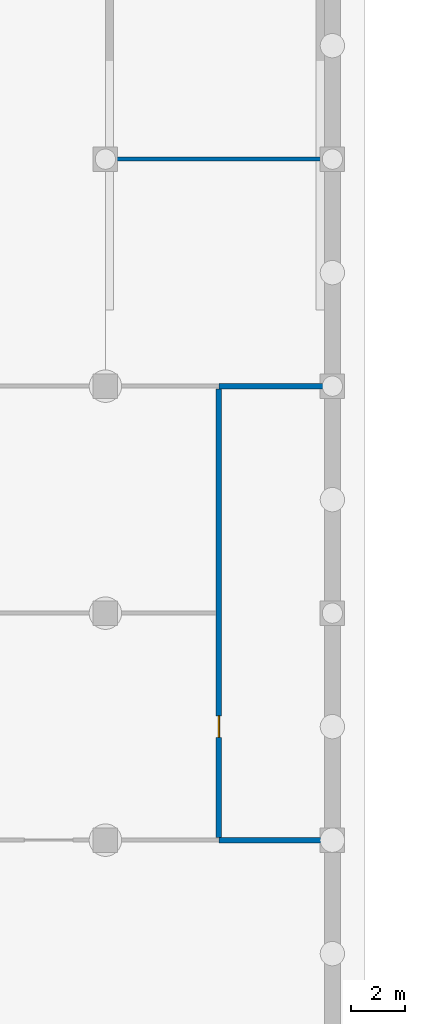
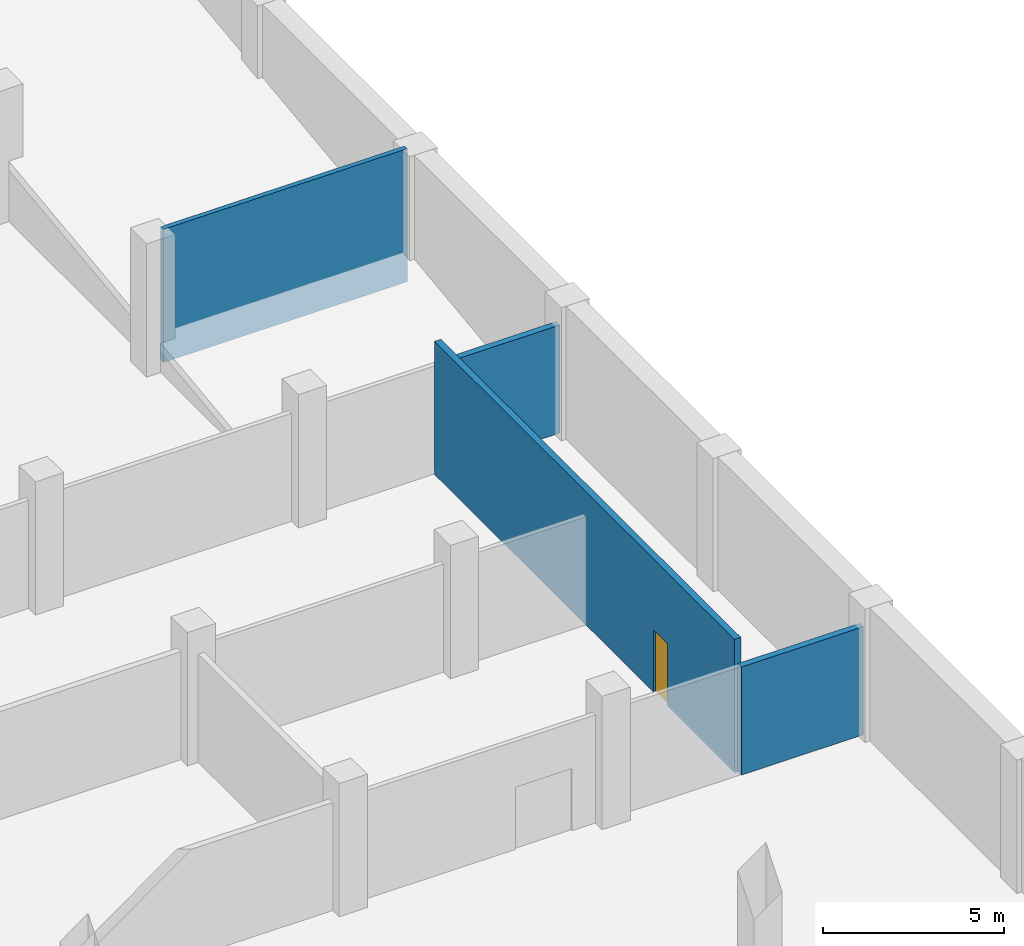
# One storey, part 8 of 26: 4 walls, 1 door, 1 opening.
"""IFC4 building model written with IfcOpenShell, lengths in metres."""

from ifc_helpers import new_model, si_unit, direction, frame, frame_2d, origin, place, context, subcontext, project, spatial, rectangle, extrude, material, layer, layer_set, type_object, element, fill, save


model = new_model("IFC4")

# Units and contexts
model_context = context("Model", 3, precision=1e-05, world=origin(), true_north=direction((0.0, 1.0)))
body_context = subcontext(model_context, "Body", "Model", "MODEL_VIEW")
ifc_project = project(units=[si_unit("LENGTHUNIT", "METRE"), si_unit("AREAUNIT", "SQUARE_METRE"), si_unit("VOLUMEUNIT", "CUBIC_METRE"), si_unit("PLANEANGLEUNIT", "RADIAN"), si_unit("MASSUNIT", "GRAM", prefix="KILO")], contexts=[model_context])

# Site, building, storey
site_placement = place(None, origin())
site = spatial("IfcSite", under=ifc_project, at=site_placement, CompositionType="ELEMENT")
building_placement = place(site_placement, origin())
building = spatial("IfcBuilding", under=site, at=building_placement, Name="Rulbaag Community and Learning Centre", CompositionType="ELEMENT")
storey_placement = place(building_placement, frame((0.0, 0.0, -9.60009765625)))
storey = spatial("IfcBuildingStorey", under=building, at=storey_placement, Name="B2", CompositionType="ELEMENT", Elevation=-9.60009765625)

# Walls
ifc_material_1 = material(Name="Concrete blockwork", Category="masonry")
ifc_layer_1 = layer(ifc_material_1, 0.199951171875)
ifc_layer_set_1 = layer_set([ifc_layer_1], Name="FW-200 FIRE WALL 200")
wall_type_1 = type_object("IfcWallType", Name="FW-200 FIRE WALL 200", PredefinedType="SOLIDWALL", material=ifc_layer_set_1)
for number, where, z_axis, x_axis, name in (
    (1, (163.800048828125, 33.60009765625, 0.0), (0.0, 0.0, 1.0), (1.0, 0.0, 0.0), "Fire wall B2 3"),
    (2, (163.800048828125, 50.39990234375, 0.0), (0.0, 0.0, 1.0), (1.0, 0.0, 0.0), "Fire wall B2 11"),
):
    element("IfcWall", number, at=place(storey_placement, frame(where, z_axis=z_axis, x_axis=x_axis)), inside=storey, type_object=wall_type_1, Name=name, PredefinedType="SOLIDWALL", context=body_context, shape_type="SweptSolid", body=[
        extrude(rectangle(XDim=3.89990234375, YDim=0.199951171875, at=frame_2d((1.949951171875, 0.0))), origin(), (0.0, 0.0, 1.0), 3.650146484375),
    ])

# Wall, opening, door
wall_1_placement = place(storey_placement, frame((163.800048828125, 33.699951171875, 0.0), z_axis=(0.0, 0.0, 1.0), x_axis=(0.0, 1.0, 0.0)))
wall_1 = element("IfcWall", 3, at=wall_1_placement, inside=storey, type_object=wall_type_1, Name="Fire wall B2 32", PredefinedType="SOLIDWALL", context=body_context, shape_type="SweptSolid", body=[
    extrude(rectangle(XDim=16.60009765625, YDim=0.199951171875, at=frame_2d((8.300048828125, 0.0))), origin(), (0.0, 0.0, 1.0), 4.5),
])
opening_placement = place(wall_1_placement, frame((3.699951171875, 0.0, 0.0)))
opening = element("IfcOpeningElement", 4, at=opening_placement, cuts=wall_1, Name="Opening B2-D023", PredefinedType="OPENING", context=body_context, shape_type="SweptSolid", body=[
    extrude(rectangle(XDim=0.800048828125, YDim=2.10009765625, at=frame_2d((0.39990234375, 1.050048828125))), frame((0.0, 0.10986328125, 0.0), z_axis=(0.0, -1.0, 0.0), x_axis=(1.0, 0.0, 0.0)), (0.0, 0.0, 1.0), 0.219970703125),
])
ifc_material_2 = material(Name="Galvanised steel", Category="steel")
door_type = type_object("IfcDoorType", Name="FDR-800 RISER FIRE DOOR 800 x 2100", OperationType="SINGLE_SWING_LEFT", PredefinedType="DOOR", material=ifc_material_2)
door_placement = place(opening_placement, origin())
door = element("IfcDoor", 5, at=door_placement, inside=storey, type_object=door_type, Name="Riser door B2-D012", OperationType="SINGLE_SWING_RIGHT", OverallHeight=2.10009765625, OverallWidth=0.800048828125, PredefinedType="DOOR", context=body_context, shape_type="SweptSolid", body=[
    extrude(rectangle(XDim=0.800048828125, YDim=2.10009765625, at=frame_2d((0.39990234375, 1.050048828125))), frame((0.0, 0.02490234375, 0.0), z_axis=(0.0, -1.0, 0.0), x_axis=(1.0, 0.0, 0.0)), (0.0, 0.0, 1.0), 0.050048828125),
])
fill(opening, door)

# Wall
ifc_layer_2 = layer(ifc_material_1, 0.14990234375)
ifc_layer_set_2 = layer_set([ifc_layer_2], Name="IP-150 PARTITION 150")
wall_type_2 = type_object("IfcWallType", Name="IP-150 PARTITION 150", PredefinedType="PARTITIONING", material=ifc_layer_set_2)
wall_2_placement = place(storey_placement, frame((159.89990234375, 58.800048828125, 0.0), z_axis=(0.0, 0.0, 1.0), x_axis=(1.0, 0.0, 0.0)))
element("IfcWall", 6, at=wall_2_placement, inside=storey, type_object=wall_type_2, Name="Partition B2 12", PredefinedType="PARTITIONING", context=body_context, shape_type="SweptSolid", body=[
    extrude(rectangle(XDim=7.800048828125, YDim=0.14990234375, at=frame_2d((3.89990234375, 0.0))), origin(), (0.0, 0.0, 1.0), 4.5),
])

save(model, "model.ifc")
